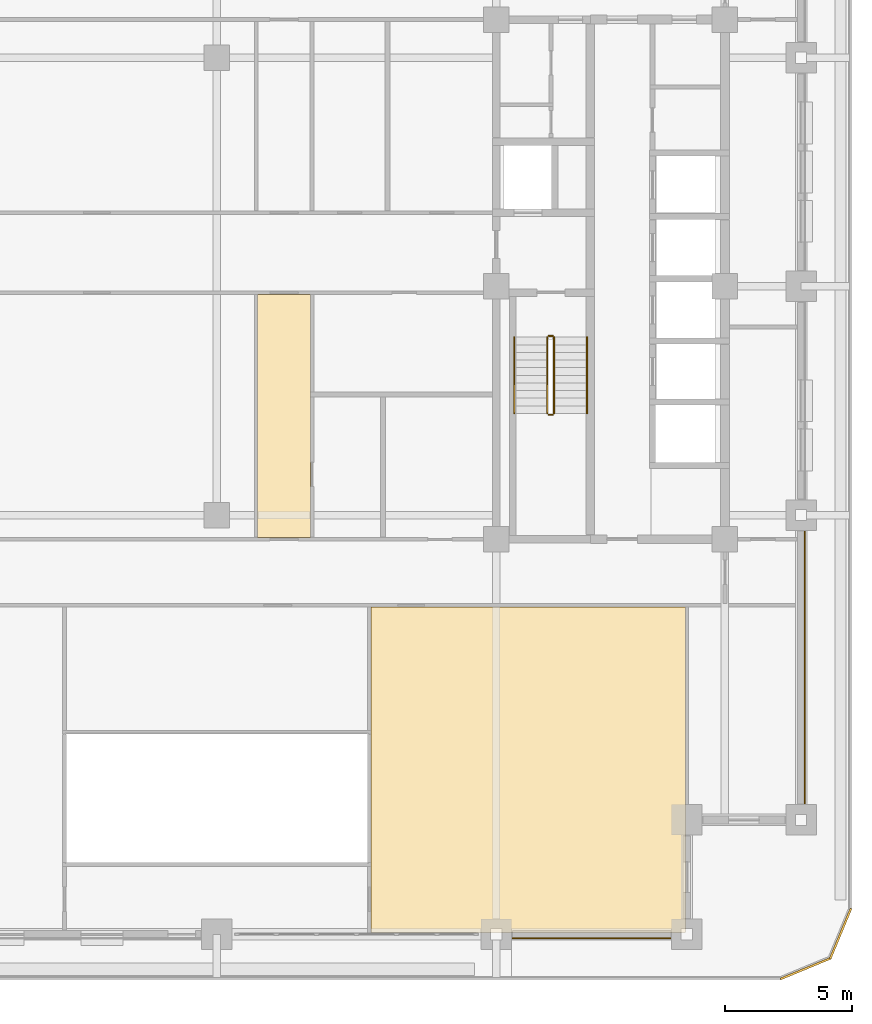
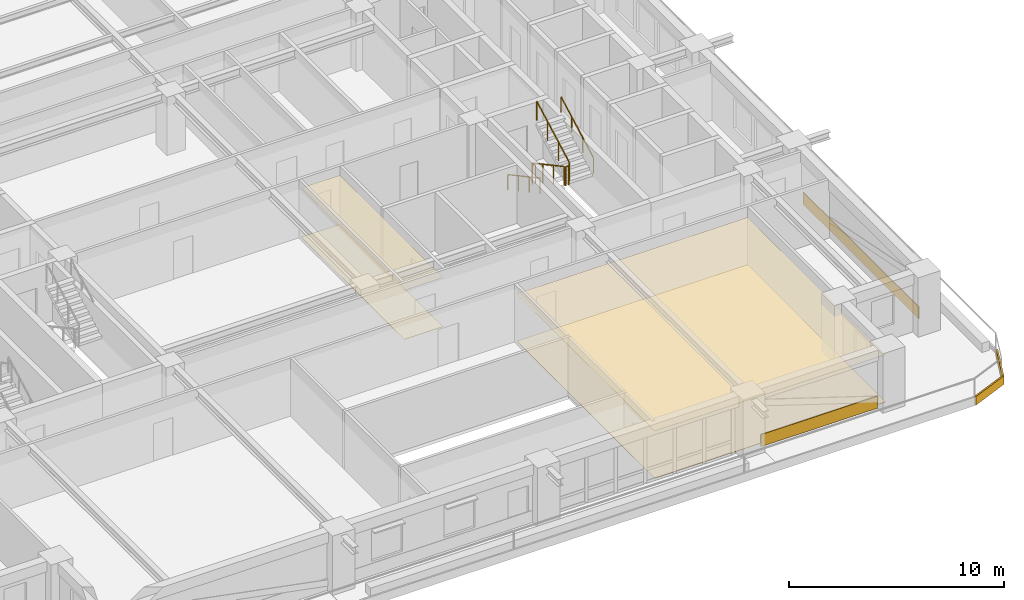
# One storey, part 19 of 20: 8 coverings, 6 railings.
"""IFC4 building model written with IfcOpenShell, lengths in metres."""

from ifc_helpers import new_model, si_unit, direction, frame, frame_2d, origin, origin_2d, place, context, subcontext, project, spatial, polyline, rectangle, outline, extrude, material, layer, layer_set, type_object, element, save


model = new_model("IFC4")

# Units and contexts
model_context = context("Model", 3, precision=1e-05, world=origin(), true_north=direction((0.0, 1.0)))
body_context = subcontext(model_context, "Body", "Model", "MODEL_VIEW")
ifc_project = project(units=[si_unit("LENGTHUNIT", "METRE"), si_unit("AREAUNIT", "SQUARE_METRE"), si_unit("VOLUMEUNIT", "CUBIC_METRE"), si_unit("PLANEANGLEUNIT", "RADIAN"), si_unit("MASSUNIT", "GRAM", prefix="KILO")], contexts=[model_context])

# Site, building, storey
site_placement = place(None, origin())
site = spatial("IfcSite", under=ifc_project, at=site_placement, CompositionType="ELEMENT")
building_placement = place(site_placement, origin())
building = spatial("IfcBuilding", under=site, at=building_placement, Name="Zulmaris Gate Convention Tower", CompositionType="ELEMENT")
storey_placement = place(building_placement, frame((0.0, 0.0, 146.33984375)))
storey = spatial("IfcBuildingStorey", under=building, at=storey_placement, Name="L37", CompositionType="ELEMENT", Elevation=146.33984375)

# Coverings
ifc_material_1 = material(Name="Precast concrete C40/50", Category="concrete")
ifc_layer_1 = layer(ifc_material_1, 0.0400390625, Name="Precast concrete C40/50")
ifc_layer_set_1 = layer_set([ifc_layer_1], Name="Precast concrete C40/50")
covering_type_1 = type_object("IfcCoveringType", Name="CLAD-SPANDREL-PRECAST", PredefinedType="CLADDING", material=ifc_layer_set_1)
covering_1_placement = place(storey_placement, frame((11.6298828125, -25.64990234375, 0.0), z_axis=(0.0, 0.0, 1.0), x_axis=(1.0, 0.0, 0.0)))
element("IfcCovering", 1, at=covering_1_placement, inside=storey, type_object=covering_type_1, Name="CLD-L37-S-3_0", PredefinedType="CLADDING", context=body_context, shape_type="SweptSolid", body=[
    extrude(rectangle(XDim=6.240234375, YDim=0.0400390625, at=frame_2d((3.1201171875, 0.0))), origin(), (0.0, 0.0, 1.0), 0.679931640625),
])
covering_2_placement = place(storey_placement, frame((23.14990234375, -20.3701171875, 0.0), z_axis=(0.0, 0.0, 1.0), x_axis=(0.0, 1.0, 0.0)))
element("IfcCovering", 2, at=covering_2_placement, inside=storey, type_object=covering_type_1, Name="CLD-L37-E-0_0", PredefinedType="CLADDING", context=body_context, shape_type="SweptSolid", body=[
    extrude(rectangle(XDim=10.740234375, YDim=0.0400390625, at=frame_2d((5.3701171875, 0.0))), origin(), (0.0, 0.0, 1.0), 0.679931640625),
])
ifc_material_2 = material(Name="White Glazed Architectural Precast Concrete C40/50", Category="concrete")
ifc_layer_2 = layer(ifc_material_2, 0.080078125, Name="White Glazed Architectural Precast Concrete C40/50")
ifc_layer_set_2 = layer_set([ifc_layer_2], Name="White Glazed Architectural Precast Concrete C40/50")
covering_type_2 = type_object("IfcCoveringType", Name="CLAD-TRAY-FASCIA", PredefinedType="CLADDING", material=ifc_layer_set_2)
covering_3_placement = place(storey_placement, frame((22.184814453125, -27.262939453125, -0.364990234375), z_axis=(0.0, 0.0, 1.0), x_axis=(0.923873803533, 0.382697263049, 0.0)))
element("IfcCovering", 3, at=covering_3_placement, inside=storey, type_object=covering_type_2, Name="FSC-L37-TR-03", PredefinedType="CLADDING", context=body_context, shape_type="SweptSolid", body=[
    extrude(rectangle(XDim=2.142822265625, YDim=0.080078125, at=frame_2d((1.0712890625, 0.0))), origin(), (0.0, 0.0, 1.0), 0.48486328125),
])
covering_4_placement = place(storey_placement, frame((24.142822265625, -26.464599609375, -0.364990234375), z_axis=(0.0, 0.0, 1.0), x_axis=(0.382656984709, 0.923890487046, 0.0)))
element("IfcCovering", 4, at=covering_4_placement, inside=storey, type_object=covering_type_2, Name="FSC-L37-TR-04", PredefinedType="CLADDING", context=body_context, shape_type="SweptSolid", body=[
    extrude(rectangle(XDim=2.14306640625, YDim=0.080078125, at=frame_2d((1.071533203125, 0.0))), origin(), (0.0, 0.0, 1.0), 0.48486328125),
])
ifc_material_3 = material(Name="Mineral Fibre Acoustic Ceiling Tile")
ifc_layer_3 = layer(ifc_material_3, 0.02001953125, Name="Mineral Fibre Acoustic Ceiling Tile")
ifc_layer_set_3 = layer_set([ifc_layer_3], Name="Mineral Fibre Acoustic Ceiling Tile")
covering_type_3 = type_object("IfcCoveringType", Name="CLG-ACOUSTIC-600", PredefinedType="CEILING", material=ifc_layer_set_3)
covering_5_placement = place(storey_placement, frame((0.0, 0.0, 2.778076171875)))
element("IfcCovering", 5, at=covering_5_placement, inside=storey, type_object=covering_type_3, Name="CLG-L37-R36", PredefinedType="CEILING", context=body_context, shape_type="SweptSolid", body=[
    extrude(outline(polyline([(1.610107421875, -9.889892578125), (3.68994140625, -9.889892578125), (3.68994140625, -0.31005859375), (1.610107421875, -0.31005859375), (1.610107421875, -9.889892578125)])), origin(), (0.0, 0.0, 1.0), 0.02001953125),
])
covering_6_placement = place(storey_placement, frame((0.0, 0.0, 2.68017578125)))
element("IfcCovering", 6, at=covering_6_placement, inside=storey, type_object=covering_type_3, Name="CLG-L37-R42", PredefinedType="CEILING", context=body_context, shape_type="SweptSolid", body=[
    extrude(outline(polyline([(6.06005859375, -25.43994140625), (18.43994140625, -25.43994140625), (18.43994140625, -12.610107421875), (6.06005859375, -12.610107421875), (6.06005859375, -25.43994140625)])), origin(), (0.0, 0.0, 1.0), 0.019775390625),
])
ifc_material_4 = material(Name="Woven Acoustic Wool Carpet Tile")
ifc_layer_4 = layer(ifc_material_4, 0.02001953125, Name="Woven Acoustic Wool Carpet Tile")
ifc_layer_set_4 = layer_set([ifc_layer_4], Name="Woven Acoustic Wool Carpet Tile")
covering_type_4 = type_object("IfcCoveringType", Name="FLR-CARPET-12", PredefinedType="FLOORING", material=ifc_layer_set_4)
covering_7_placement = place(storey_placement, origin())
element("IfcCovering", 7, at=covering_7_placement, inside=storey, type_object=covering_type_4, Name="FLR-L37-R36", PredefinedType="FLOORING", context=body_context, shape_type="SweptSolid", body=[
    extrude(outline(polyline([(1.610107421875, -9.889892578125), (3.68994140625, -9.889892578125), (3.68994140625, -0.31005859375), (1.610107421875, -0.31005859375), (1.610107421875, -9.889892578125)])), origin(), (0.0, 0.0, 1.0), 0.02001953125),
])
covering_8_placement = place(storey_placement, origin())
element("IfcCovering", 8, at=covering_8_placement, inside=storey, type_object=covering_type_4, Name="FLR-L37-R42", PredefinedType="FLOORING", context=body_context, shape_type="SweptSolid", body=[
    extrude(outline(polyline([(6.06005859375, -25.43994140625), (18.43994140625, -25.43994140625), (18.43994140625, -12.610107421875), (6.06005859375, -12.610107421875), (6.06005859375, -25.43994140625)])), origin(), (0.0, 0.0, 1.0), 0.02001953125),
])

# Railings
ifc_material_5 = material(Name="Painted Galvanised Steel", Category="steel")
railing_type_1 = type_object("IfcRailingType", Name="RL-STG-1150", PredefinedType="GUARDRAIL", material=ifc_material_5)
railing_1_placement = place(storey_placement, frame((13.010009765625, -2.0, 0.162353515625)))
element("IfcRailing", 9, at=railing_1_placement, inside=storey, type_object=railing_type_1, Name="L37 ST-2 stair guard 1", PredefinedType="GUARDRAIL", context=body_context, shape_type="SweptSolid", body=[
    extrude(rectangle(XDim=0.048095703125, YDim=0.048095703125, at=origin_2d()), frame((0.0, 0.0, 1.076171875), z_axis=(0.0, -0.879591569277, 0.475729619907), x_axis=(1.0, 0.0, 0.0)), (0.0, 0.0, 1.0), 3.41064453125),
    extrude(rectangle(XDim=0.0419921875, YDim=0.0419921875, at=origin_2d()), origin(), (0.0, 0.0, 1.0), 1.052001953125),
    extrude(rectangle(XDim=0.0419921875, YDim=0.0419921875, at=origin_2d()), frame((0.0, -1.0, 0.540771484375)), (0.0, 0.0, 1.0), 1.052001953125),
    extrude(rectangle(XDim=0.0419921875, YDim=0.0419921875, at=origin_2d()), frame((0.0, -2.0, 1.081787109375)), (0.0, 0.0, 1.0), 1.052001953125),
    extrude(rectangle(XDim=0.0419921875, YDim=0.0419921875, at=origin_2d()), frame((0.0, -3.0, 1.62255859375)), (0.0, 0.0, 1.0), 1.052001953125),
])
railing_2_placement = place(storey_placement, frame((13.06005859375, -5.050048828125, 1.784912109375)))
element("IfcRailing", 10, at=railing_2_placement, inside=storey, type_object=railing_type_1, Name="L37 ST-2 stair guard 2", PredefinedType="GUARDRAIL", context=body_context, shape_type="SweptSolid", body=[
    extrude(rectangle(XDim=0.048095703125, YDim=0.048095703125, at=origin_2d()), frame((0.0, 0.0, 1.076171875), z_axis=(1.0, 0.0, 0.0), x_axis=(0.0, 1.0, 0.0)), (0.0, 0.0, 1.0), 0.159912109375),
    extrude(rectangle(XDim=0.0419921875, YDim=0.0419921875, at=origin_2d()), origin(), (0.0, 0.0, 1.0), 1.052001953125),
    extrude(rectangle(XDim=0.0419921875, YDim=0.0419921875, at=origin_2d()), frame((0.159912109375, 0.0, 0.0)), (0.0, 0.0, 1.0), 1.052001953125),
])
railing_3_placement = place(storey_placement, frame((13.27001953125, -5.0, 1.947265625)))
element("IfcRailing", 11, at=railing_3_placement, inside=storey, type_object=railing_type_1, Name="L37 ST-2 stair guard 3", PredefinedType="GUARDRAIL", context=body_context, shape_type="SweptSolid", body=[
    extrude(rectangle(XDim=0.048095703125, YDim=0.048095703125, at=origin_2d()), frame((0.0, 0.0, 1.076171875), z_axis=(0.0, 0.8795616155, 0.475784998228), x_axis=(-1.0, 0.0, 0.0)), (0.0, 0.0, 1.0), 3.410888671875),
    extrude(rectangle(XDim=0.0419921875, YDim=0.0419921875, at=origin_2d()), origin(), (0.0, 0.0, 1.0), 1.052001953125),
    extrude(rectangle(XDim=0.0419921875, YDim=0.0419921875, at=origin_2d()), frame((0.0, 1.0, 0.541015625)), (0.0, 0.0, 1.0), 1.052001953125),
    extrude(rectangle(XDim=0.0419921875, YDim=0.0419921875, at=origin_2d()), frame((0.0, 2.0, 1.081787109375)), (0.0, 0.0, 1.0), 1.052001953125),
    extrude(rectangle(XDim=0.0419921875, YDim=0.0419921875, at=origin_2d()), frame((0.0, 3.0, 1.622802734375)), (0.0, 0.0, 1.0), 1.052001953125),
])
railing_4_placement = place(storey_placement, frame((13.06005859375, -1.949951171875, 0.0)))
element("IfcRailing", 12, at=railing_4_placement, inside=storey, type_object=railing_type_1, Name="L37 ST-2 stair guard 4", PredefinedType="GUARDRAIL", context=body_context, shape_type="SweptSolid", body=[
    extrude(rectangle(XDim=0.048095703125, YDim=0.048095703125, at=origin_2d()), frame((0.0, 0.0, 1.076171875), z_axis=(1.0, 0.0, 0.0), x_axis=(0.0, 1.0, 0.0)), (0.0, 0.0, 1.0), 0.159912109375),
    extrude(rectangle(XDim=0.0419921875, YDim=0.0419921875, at=origin_2d()), origin(), (0.0, 0.0, 1.0), 1.052001953125),
    extrude(rectangle(XDim=0.0419921875, YDim=0.0419921875, at=origin_2d()), frame((0.159912109375, 0.0, 0.0)), (0.0, 0.0, 1.0), 1.052001953125),
])
ifc_material_6 = material(Name="Brushed Stainless Steel", Category="steel")
railing_type_2 = type_object("IfcRailingType", Name="RL-STH-900", PredefinedType="HANDRAIL", material=ifc_material_6)
railing_5_placement = place(storey_placement, frame((11.7099609375, -2.0, 0.162353515625)))
element("IfcRailing", 13, at=railing_5_placement, inside=storey, type_object=railing_type_2, Name="L37 ST-2 stair handrail 1", PredefinedType="HANDRAIL", context=body_context, shape_type="SweptSolid", body=[
    extrude(rectangle(XDim=0.048095703125, YDim=0.048095703125, at=origin_2d()), frame((0.0, 0.0, 0.8759765625), z_axis=(0.0, -0.879591569277, 0.475729619907), x_axis=(1.0, 0.0, 0.0)), (0.0, 0.0, 1.0), 3.41064453125),
    extrude(rectangle(XDim=0.0419921875, YDim=0.0419921875, at=origin_2d()), origin(), (0.0, 0.0, 1.0), 0.851806640625),
    extrude(rectangle(XDim=0.0419921875, YDim=0.0419921875, at=origin_2d()), frame((0.0, -1.0, 0.540771484375)), (0.0, 0.0, 1.0), 0.851806640625),
    extrude(rectangle(XDim=0.0419921875, YDim=0.0419921875, at=origin_2d()), frame((0.0, -2.0, 1.081787109375)), (0.0, 0.0, 1.0), 0.851806640625),
    extrude(rectangle(XDim=0.0419921875, YDim=0.0419921875, at=origin_2d()), frame((0.0, -3.0, 1.62255859375)), (0.0, 0.0, 1.0), 0.851806640625),
])
railing_6_placement = place(storey_placement, frame((14.570068359375, -5.0, 1.947265625)))
element("IfcRailing", 14, at=railing_6_placement, inside=storey, type_object=railing_type_2, Name="L37 ST-2 stair handrail 2", PredefinedType="HANDRAIL", context=body_context, shape_type="SweptSolid", body=[
    extrude(rectangle(XDim=0.048095703125, YDim=0.048095703125, at=origin_2d()), frame((0.0, 0.0, 0.8759765625), z_axis=(0.0, 0.8795616155, 0.475784998228), x_axis=(-1.0, 0.0, 0.0)), (0.0, 0.0, 1.0), 3.410888671875),
    extrude(rectangle(XDim=0.0419921875, YDim=0.0419921875, at=origin_2d()), origin(), (0.0, 0.0, 1.0), 0.851806640625),
    extrude(rectangle(XDim=0.0419921875, YDim=0.0419921875, at=origin_2d()), frame((0.0, 1.0, 0.541015625)), (0.0, 0.0, 1.0), 0.851806640625),
    extrude(rectangle(XDim=0.0419921875, YDim=0.0419921875, at=origin_2d()), frame((0.0, 2.0, 1.081787109375)), (0.0, 0.0, 1.0), 0.851806640625),
    extrude(rectangle(XDim=0.0419921875, YDim=0.0419921875, at=origin_2d()), frame((0.0, 3.0, 1.622802734375)), (0.0, 0.0, 1.0), 0.851806640625),
])

save(model, "model.ifc")
